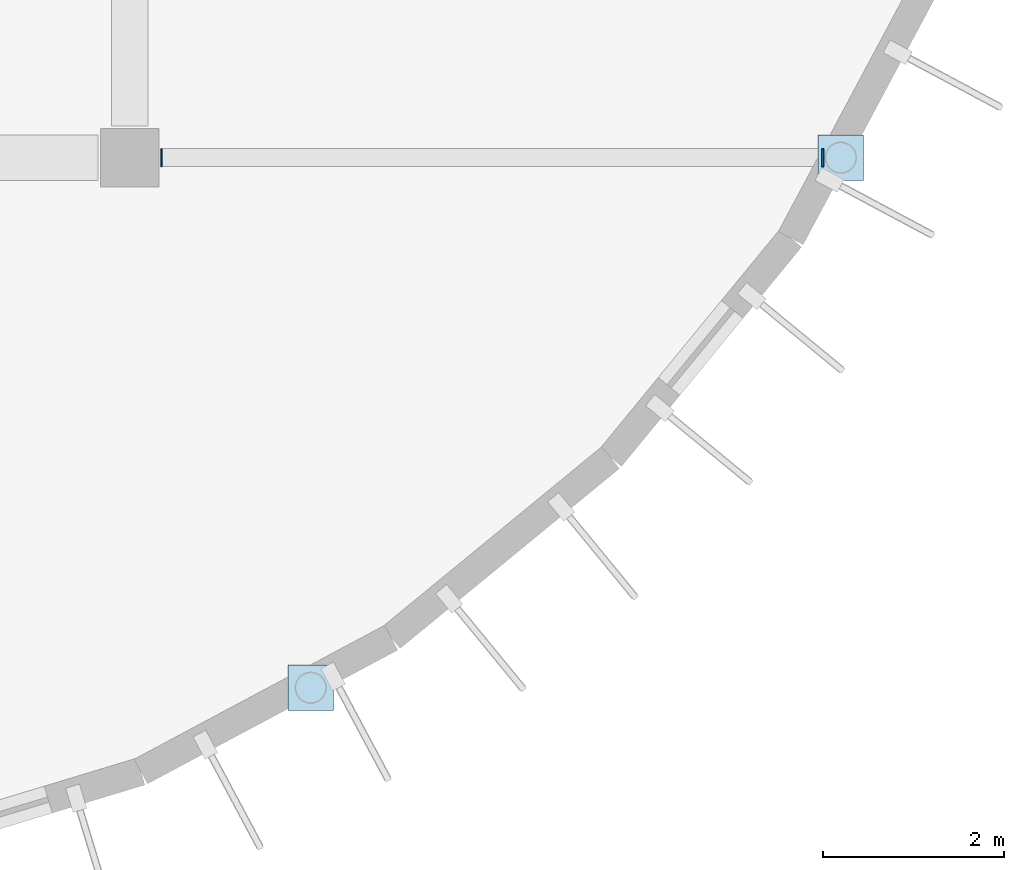
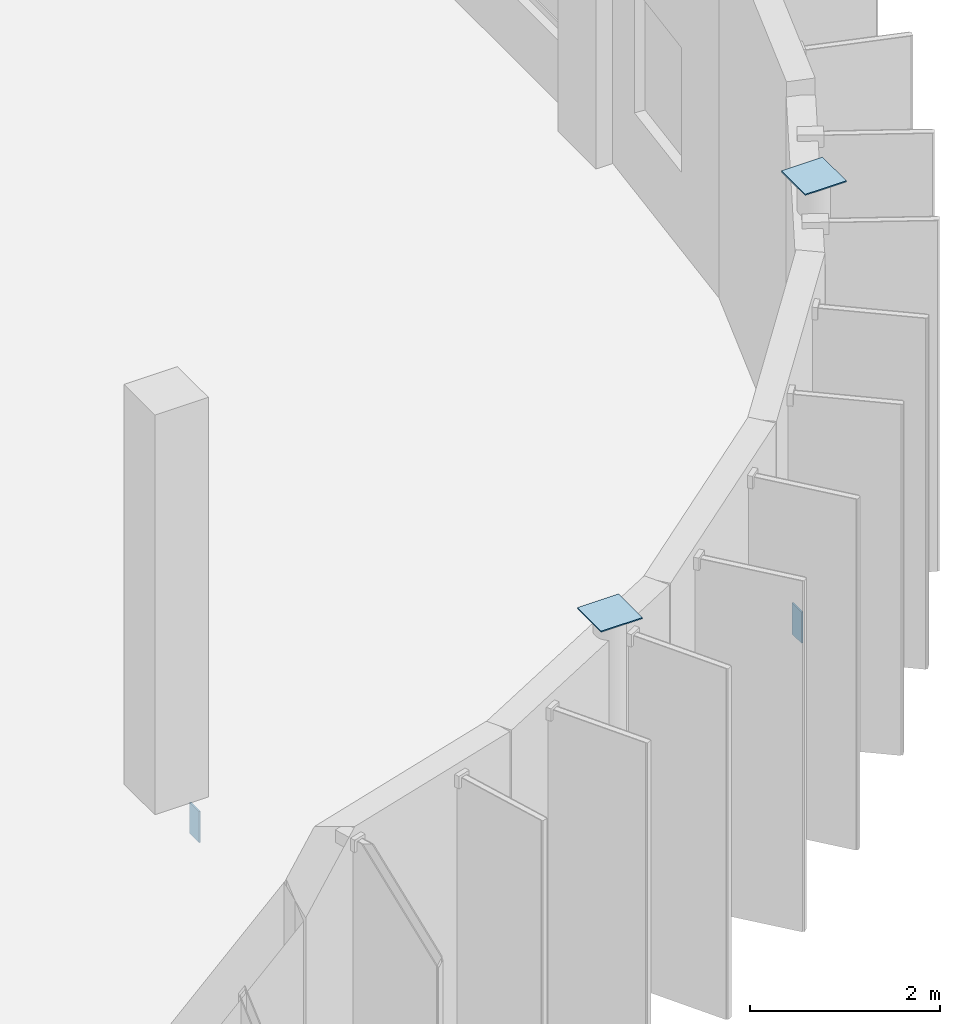
# One storey, part 68 of 103: 4 plates.
"""IFC4 building model written with IfcOpenShell, lengths in metres."""

from ifc_helpers import new_model, si_unit, direction, frame, origin, origin_2d, place, context, subcontext, project, spatial, rectangle, extrude, material, layer, layer_set, type_object, element, save


model = new_model("IFC4")

# Units and contexts
model_context = context("Model", 3, precision=1e-05, world=origin(), true_north=direction((0.0, 1.0)))
body_context = subcontext(model_context, "Body", "Model", "MODEL_VIEW")
ifc_project = project(units=[si_unit("LENGTHUNIT", "METRE"), si_unit("AREAUNIT", "SQUARE_METRE"), si_unit("VOLUMEUNIT", "CUBIC_METRE"), si_unit("PLANEANGLEUNIT", "RADIAN"), si_unit("MASSUNIT", "GRAM", prefix="KILO")], contexts=[model_context])

# Site, building, storey
site_placement = place(None, origin())
site = spatial("IfcSite", under=ifc_project, at=site_placement, CompositionType="ELEMENT")
building_placement = place(site_placement, origin())
building = spatial("IfcBuilding", under=site, at=building_placement, Name="Drelvana Railside Aquatics Centre", CompositionType="ELEMENT")
storey_placement = place(building_placement, origin())
storey = spatial("IfcBuildingStorey", under=building, at=storey_placement, Name="L00", CompositionType="ELEMENT", Elevation=0.0)

# Plates
ifc_material = material(Name="Structural steel S355", Category="steel")
ifc_layer_1 = layer(ifc_material, 0.014892578125, Name="Structural steel S355")
ifc_layer_set_1 = layer_set([ifc_layer_1], Name="Structural steel S355")
plate_type_1 = type_object("IfcPlateType", Name="STR-PLT-PL-01", PredefinedType="SHEET", material=ifc_layer_set_1)
for number, where, z_axis, x_axis, name in (
    (1, (176.0, 10.1435546875, 5.11767578125), (0.0, 0.0, 1.0), (1.0, 0.0, 0.0), "Steel bearing cap plate PL-01 #2"),
    (2, (181.8564453125, 16.0, 5.11767578125), (0.0, 0.0, 1.0), (1.0, 0.0, 0.0), "Steel bearing cap plate PL-01 #6"),
):
    element("IfcPlate", number, at=place(storey_placement, frame(where, z_axis=z_axis, x_axis=x_axis)), inside=storey, type_object=plate_type_1, Name=name, PredefinedType="SHEET", context=body_context, shape_type="SweptSolid", body=[
        extrude(rectangle(XDim=0.5, YDim=0.5, at=origin_2d()), origin(), (0.0, 0.0, 1.0), 0.014892578125),
    ])
ifc_layer_2 = layer(ifc_material, 0.01806640625, Name="Structural steel S355")
ifc_layer_set_2 = layer_set([ifc_layer_2], Name="Structural steel S355")
plate_type_2 = type_object("IfcPlateType", Name="STR-PLT-PL-06", PredefinedType="SHEET", material=ifc_layer_set_2)
for number, where, z_axis, x_axis, name in (
    (3, (174.35009765625, 16.0, -0.72998046875), (0.0, 0.0, 1.0), (1.0, 0.0, 0.0), "Beam end cap plate PL-06 (L00)"),
    (4, (181.65673828125, 16.0, -0.72998046875), (0.0, 0.0, 1.0), (1.0, 0.0, 0.0), "Beam end cap plate PL-06 (L00)"),
):
    element("IfcPlate", number, at=place(storey_placement, frame(where, z_axis=z_axis, x_axis=x_axis)), inside=storey, type_object=plate_type_2, Name=name, PredefinedType="SHEET", context=body_context, shape_type="SweptSolid", body=[
        extrude(rectangle(XDim=0.01806640625, YDim=0.199951171875, at=origin_2d()), origin(), (0.0, 0.0, 1.0), 0.39990234375),
    ])

save(model, "model.ifc")
